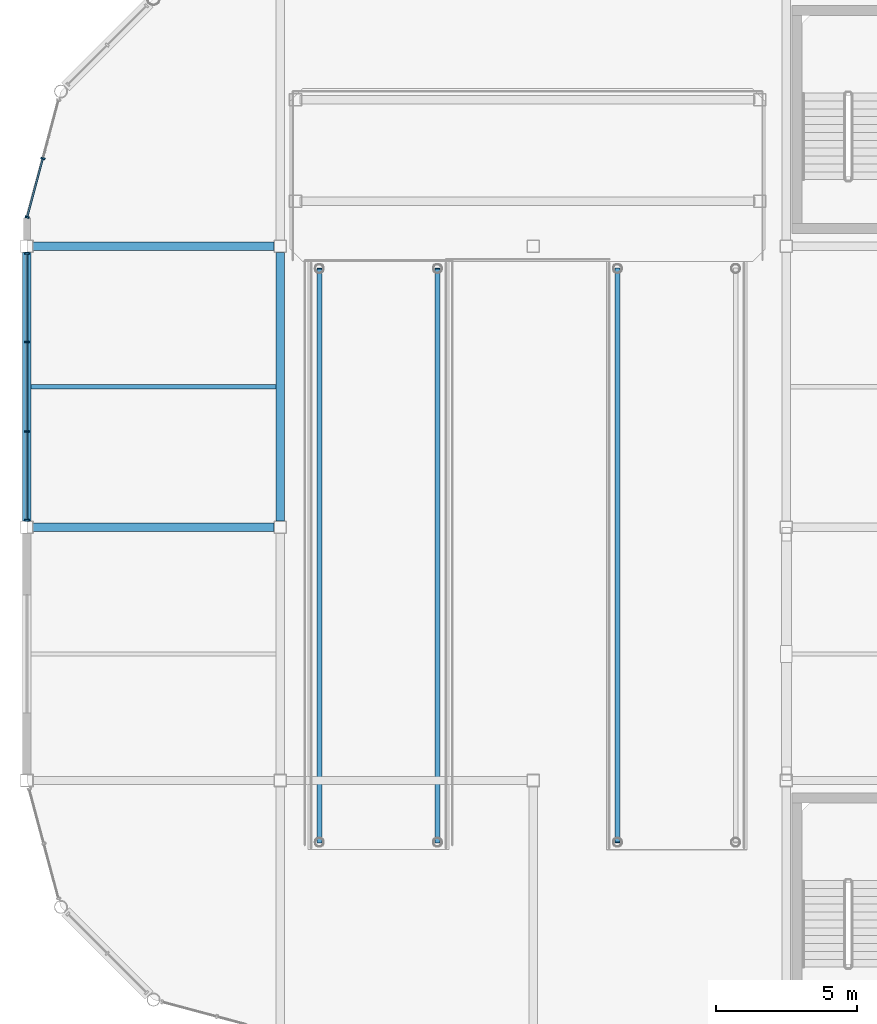
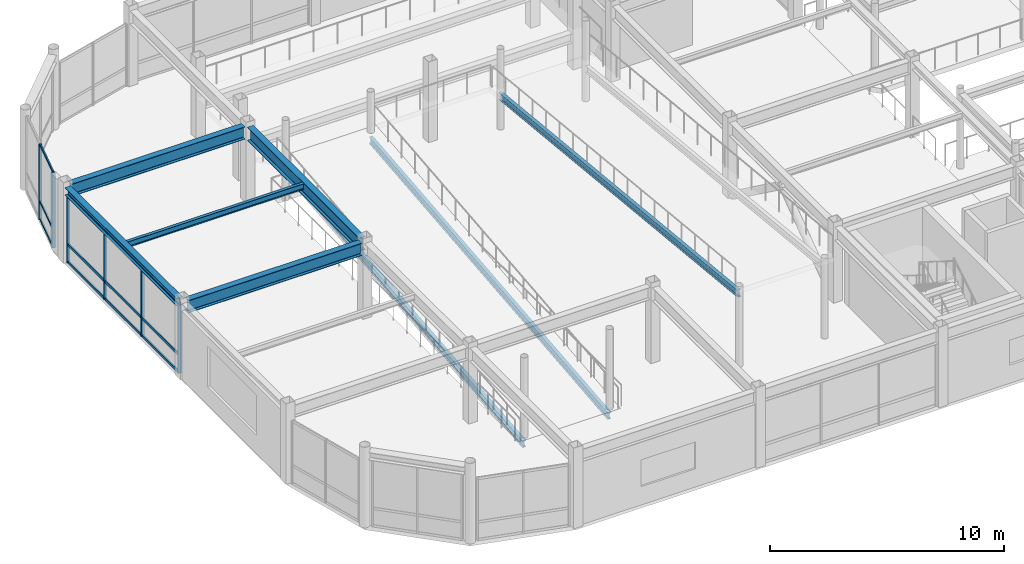
# One storey, part 34 of 105: 18 members, 8 beams, 2 elements without a shape of their own.
"""IFC4 building model written with IfcOpenShell, lengths in metres."""

import ifcopenshell
import ifcopenshell.guid

model = None  # the IFC model being written
_history = None  # IfcOwnerHistory: only IFC2X3 demands one
_inside = {}  # id of a spatial element -> (the spatial element, [elements in it])
_under = {}  # id of a project, library or spatial element -> (it, [spatial elements below it])
_declared = {}  # id of a project -> (the project, [libraries it declares])
_typed = {}  # id of a type object -> (the type object, [elements of that type])
_made_of = {}  # id of a material, layer set ... -> (it, [elements and type objects made of it])


def new_model(schema):
    """Start an empty IFC model of exactly this schema.

    Asked for "IFC4X3", IfcOpenShell would pick the latest addendum, in which some entities
    have other attributes; the version numbers below select the first issue.
    IFC2X3 requires an IfcOwnerHistory on every rooted entity: one is made here for all.
    """
    global model, _history
    if schema == "IFC4X3":
        model = ifcopenshell.file(schema_version=(4, 3, 0, 0))
    else:
        model = ifcopenshell.file(schema=schema)
    _inside.clear()
    _under.clear()
    _declared.clear()
    _typed.clear()
    _made_of.clear()
    _history = None
    if model.schema == "IFC2X3":
        org = make("IfcOrganization", Name="unknown")
        user = make(
            "IfcPersonAndOrganization",
            ThePerson=make("IfcPerson", FamilyName="unknown"),
            TheOrganization=org,
        )
        app = make(
            "IfcApplication",
            ApplicationDeveloper=org,
            Version="unknown",
            ApplicationFullName="unknown",
            ApplicationIdentifier="unknown",
        )
        _history = make(
            "IfcOwnerHistory",
            OwningUser=user,
            OwningApplication=app,
            ChangeAction="ADDED",
            CreationDate=0,
        )
    return model


def make(cls, **values):
    """One entity of the class cls with the attributes given. An attribute that is None is left unset."""
    return model.create_entity(
        cls, **{name: value for name, value in values.items() if value is not None}
    )


def rooted(cls, **values):
    """An entity with a GlobalId (a new one), such as an element, a storey or a relation."""
    return make(cls, GlobalId=ifcopenshell.guid.new(), OwnerHistory=_history, **values)


def si_unit(unit_type, name, prefix=None):
    """IfcSIUnit, for example si_unit("LENGTHUNIT", "METRE", prefix="MILLI")."""
    return make("IfcSIUnit", UnitType=unit_type, Prefix=prefix, Name=name)


def assignment(units):
    """IfcUnitAssignment: the units of a project."""
    return None if units is None else make("IfcUnitAssignment", Units=units)


def point(xyz):
    """IfcCartesianPoint."""
    return None if xyz is None else make("IfcCartesianPoint", Coordinates=xyz)


def direction(xyz):
    """IfcDirection."""
    return None if xyz is None else make("IfcDirection", DirectionRatios=xyz)


def frame(location, z_axis=None, x_axis=None):
    """IfcAxis2Placement3D, a coordinate frame: its origin and axes. An axis left out is left unset."""
    return make(
        "IfcAxis2Placement3D",
        Location=point(location),
        Axis=direction(z_axis),
        RefDirection=direction(x_axis),
    )


def frame_2d(location, x_axis=None):
    """IfcAxis2Placement2D, a coordinate frame in the plane: its origin and x axis."""
    return make(
        "IfcAxis2Placement2D", Location=point(location), RefDirection=direction(x_axis)
    )


def origin():
    """The frame at (0, 0, 0) with its axes left unset."""
    return frame((0.0, 0.0, 0.0))


def origin_2d():
    """The frame at (0, 0) in the plane with its x axis left unset."""
    return frame_2d((0.0, 0.0))


def place(relative_to, where):
    """IfcLocalPlacement: puts the frame where relative to a parent placement (None: the world)."""
    return make(
        "IfcLocalPlacement", PlacementRelTo=relative_to, RelativePlacement=where
    )


def context(
    kind, dimensions, precision=None, world=None, true_north=None, identifier=None
):
    """IfcGeometricRepresentationContext, for example the 3D "Model" context."""
    return make(
        "IfcGeometricRepresentationContext",
        ContextIdentifier=identifier,
        ContextType=kind,
        CoordinateSpaceDimension=dimensions,
        Precision=precision,
        WorldCoordinateSystem=world,
        TrueNorth=true_north,
    )


def subcontext(parent, identifier, kind, view, scale=None):
    """IfcGeometricRepresentationSubContext, for example "Body" below "Model"."""
    return make(
        "IfcGeometricRepresentationSubContext",
        ContextIdentifier=identifier,
        ContextType=kind,
        ParentContext=parent,
        TargetScale=scale,
        TargetView=view,
    )


def project(units=None, contexts=None):
    """IfcProject with its units and contexts."""
    return rooted(
        "IfcProject",
        Name="project",
        RepresentationContexts=contexts,
        UnitsInContext=assignment(units),
    )


def spatial(cls, under=None, at=None, **own):
    """A site, building, storey or space (cls), placed at a placement, below another one or the project."""
    s = rooted(cls, ObjectPlacement=at, **own)
    if under is not None:
        _under.setdefault(under.id(), (under, []))[1].append(s)
    return s


def profile(cls, at=None, kind="AREA", **sizes):
    """A parametric profile (cls). Its sizes go by their IFC names, for example OverallWidth=200.0."""
    return make(cls, ProfileType=kind, Position=at, **sizes)


def rectangle(**sizes):
    """IfcRectangleProfileDef."""
    return profile("IfcRectangleProfileDef", **sizes)


def i_section(**sizes):
    """IfcIShapeProfileDef."""
    return profile("IfcIShapeProfileDef", **sizes)


def extrude(swept, where, along, depth):
    """IfcExtrudedAreaSolid: the profile swept, set in the frame where, extruded along a direction by depth."""
    return make(
        "IfcExtrudedAreaSolid",
        SweptArea=swept,
        Position=where,
        ExtrudedDirection=direction(along),
        Depth=depth,
    )


def shape(context_of_items, identifier, shape_type, items):
    """IfcShapeRepresentation: the items that make up one representation, for example the "Body"."""
    return make(
        "IfcShapeRepresentation",
        ContextOfItems=context_of_items,
        RepresentationIdentifier=identifier,
        RepresentationType=shape_type,
        Items=items,
    )


def material(Name=None, Category=None):
    """IfcMaterial."""
    return make("IfcMaterial", Name=Name, Category=Category)


def material_profile(
    of_material, cross_section, Name=None, Category=None, Priority=None
):
    """IfcMaterialProfile: a cross section and its material."""
    return make(
        "IfcMaterialProfile",
        Name=Name,
        Material=of_material,
        Profile=cross_section,
        Priority=Priority,
        Category=Category,
    )


def profile_set(profiles, Name=None, composite=None):
    """IfcMaterialProfileSet."""
    return make(
        "IfcMaterialProfileSet",
        Name=Name,
        MaterialProfiles=profiles,
        CompositeProfile=composite,
    )


def made_of(thing, what):
    """Note that an element or type object is made of a material, layer set ...; save() writes the relation."""
    if what is not None:
        _made_of.setdefault(what.id(), (what, []))[1].append(thing)
    return thing


def type_object(cls, material=None, **own):
    """A type object (cls), such as IfcWallType, which elements share."""
    return made_of(rooted(cls, **own), material)


def element(
    cls,
    number,
    at=None,
    inside=None,
    cuts=None,
    type_object=None,
    material=None,
    context=None,
    identifier="Body",
    shape_type=None,
    held_by="IfcProductDefinitionShape",
    body=None,
    shapes=None,
    **own,
):
    """One element of the class cls, such as IfcWall. Its Tag is "e" and its number.

    at: its placement. inside: the storey or other place that contains it. cuts: it is an
    opening in that element (IfcRelVoidsElement). A single representation is given by context,
    identifier, shape_type and body (its items); several are given by shapes. held_by: the class
    of the entity that holds the representations. save() writes the other relations.
    """
    e = rooted(cls, Tag="e%d" % number, ObjectPlacement=at, **own)
    if body is not None:
        shapes = [shape(context, identifier, shape_type, body)]
    if shapes is not None:
        e.Representation = make(held_by, Representations=shapes)
    if inside is not None:
        _inside.setdefault(inside.id(), (inside, []))[1].append(e)
    if cuts is not None:
        rooted(
            "IfcRelVoidsElement", RelatingBuildingElement=cuts, RelatedOpeningElement=e
        )
    if type_object is not None:
        _typed.setdefault(type_object.id(), (type_object, []))[1].append(e)
    return made_of(e, material)


def aggregate(whole, parts):
    """IfcRelAggregates: a whole, such as a stair, and the parts it consists of."""
    return rooted("IfcRelAggregates", RelatingObject=whole, RelatedObjects=parts)


def save(model, path):
    """Write the relations noted so far, then the file.

    IfcRelAggregates (storeys below a building ...), IfcRelContainedInSpatialStructure (elements
    in a storey), IfcRelDefinesByType, IfcRelAssociatesMaterial and IfcRelDeclares: one each for
    every whole, place, type object, material and project.
    """
    for whole, parts in _under.values():
        aggregate(whole, parts)
    for where, things in _inside.values():
        rooted(
            "IfcRelContainedInSpatialStructure",
            RelatedElements=things,
            RelatingStructure=where,
        )
    for kind, things in _typed.values():
        rooted("IfcRelDefinesByType", RelatedObjects=things, RelatingType=kind)
    for what, things in _made_of.values():
        rooted("IfcRelAssociatesMaterial", RelatedObjects=things, RelatingMaterial=what)
    for by, libraries in _declared.values():
        rooted("IfcRelDeclares", RelatingContext=by, RelatedDefinitions=libraries)
    model.write(path)


model = new_model("IFC4")

# Units and contexts
model_context = context("Model", 3, precision=1e-05, world=origin(), true_north=direction((0.0, 1.0)))
body_context = subcontext(model_context, "Body", "Model", "MODEL_VIEW")
ifc_project = project(units=[si_unit("LENGTHUNIT", "METRE"), si_unit("AREAUNIT", "SQUARE_METRE"), si_unit("VOLUMEUNIT", "CUBIC_METRE"), si_unit("PLANEANGLEUNIT", "RADIAN"), si_unit("MASSUNIT", "GRAM", prefix="KILO")], contexts=[model_context])

# Site, building, storey
site_placement = place(None, origin())
site = spatial("IfcSite", under=ifc_project, at=site_placement, CompositionType="ELEMENT")
building_placement = place(site_placement, origin())
building = spatial("IfcBuilding", under=site, at=building_placement, Name="Suzunagisa Mobility Hub", CompositionType="ELEMENT")
storey_placement = place(building_placement, frame((0.0, 0.0, 5.10009765625)))
storey = spatial("IfcBuildingStorey", under=building, at=storey_placement, Name="L01", CompositionType="ELEMENT", Elevation=5.10009765625)

# Curtain wall, members
ifc_material_1 = material(Name="Thermally Broken Anodized Aluminum and Low-E Glazing", Category="aluminium")
curtain_wall_type_1 = type_object("IfcCurtainWallType", Name="Unitised Curtain Wall CW-03 9500x3600", PredefinedType="USERDEFINED", material=ifc_material_1)
curtain_wall_1_placement = place(storey_placement, origin())
curtain_wall_1 = element("IfcCurtainWall", 1, at=curtain_wall_1_placement, inside=storey, type_object=curtain_wall_type_1, Name="L01 Unitised Curtain Wall CW-62", ObjectType="UNITISED CURTAIN WALL", PredefinedType="USERDEFINED")
ifc_material_2 = material(Name="Anodized Aluminum 6063-T6", Category="aluminium")
ifc_material_profile_1 = material_profile(ifc_material_2, rectangle(XDim=0.06494140625, YDim=0.139892578125, at=origin_2d()), Name="TRAN-65x140")
ifc_profile_set_1 = profile_set([ifc_material_profile_1], Name="Anodized Aluminum 6063-T6")
member_type_1 = type_object("IfcMemberType", Name="Curtain Wall Framing CM-01 TRAN-65x140", PredefinedType="USERDEFINED", material=ifc_profile_set_1)
member_1_placement = place(storey_placement, frame((0.0, 107.717041015625, 0.032470703125), z_axis=(0.0, -1.0, 0.0), x_axis=(1.0, 0.0, 0.0)))
member_1 = element("IfcMember", 2, at=member_1_placement, type_object=member_type_1, Name="Curtain Wall Transom 62-T1.1", ObjectType="TRANSOM", PredefinedType="USERDEFINED", context=body_context, shape_type="SweptSolid", body=[
    extrude(rectangle(XDim=0.06494140625, YDim=0.139892578125, at=origin_2d()), origin(), (0.0, 0.0, 1.0), 3.097412109375),
])
member_2_placement = place(storey_placement, frame((0.0, 107.717041015625, 0.949951171875), z_axis=(0.0, -1.0, 0.0), x_axis=(1.0, 0.0, 0.0)))
member_2 = element("IfcMember", 3, at=member_2_placement, type_object=member_type_1, Name="Curtain Wall Transom 62-T1.2", ObjectType="TRANSOM", PredefinedType="USERDEFINED", context=body_context, shape_type="SweptSolid", body=[
    extrude(rectangle(XDim=0.06494140625, YDim=0.139892578125, at=origin_2d()), origin(), (0.0, 0.0, 1.0), 3.097412109375),
])
member_3_placement = place(storey_placement, frame((0.0, 107.717041015625, 3.517333984375), z_axis=(0.0, -1.0, 0.0), x_axis=(1.0, 0.0, 0.0)))
member_3 = element("IfcMember", 4, at=member_3_placement, type_object=member_type_1, Name="Curtain Wall Transom 62-T1.3", ObjectType="TRANSOM", PredefinedType="USERDEFINED", context=body_context, shape_type="SweptSolid", body=[
    extrude(rectangle(XDim=0.06494140625, YDim=0.139892578125, at=origin_2d()), origin(), (0.0, 0.0, 1.0), 3.097412109375),
])
member_4_placement = place(storey_placement, frame((0.0, 104.563720703125, 0.032470703125), z_axis=(0.0, -1.0, 0.0), x_axis=(1.0, 0.0, 0.0)))
member_4 = element("IfcMember", 5, at=member_4_placement, type_object=member_type_1, Name="Curtain Wall Transom 62-T2.1", ObjectType="TRANSOM", PredefinedType="USERDEFINED", context=body_context, shape_type="SweptSolid", body=[
    extrude(rectangle(XDim=0.06494140625, YDim=0.139892578125, at=origin_2d()), origin(), (0.0, 0.0, 1.0), 3.12744140625),
])
member_5_placement = place(storey_placement, frame((0.0, 104.563720703125, 0.949951171875), z_axis=(0.0, -1.0, 0.0), x_axis=(1.0, 0.0, 0.0)))
member_5 = element("IfcMember", 6, at=member_5_placement, type_object=member_type_1, Name="Curtain Wall Transom 62-T2.2", ObjectType="TRANSOM", PredefinedType="USERDEFINED", context=body_context, shape_type="SweptSolid", body=[
    extrude(rectangle(XDim=0.06494140625, YDim=0.139892578125, at=origin_2d()), origin(), (0.0, 0.0, 1.0), 3.12744140625),
])
member_6_placement = place(storey_placement, frame((0.0, 104.563720703125, 3.517333984375), z_axis=(0.0, -1.0, 0.0), x_axis=(1.0, 0.0, 0.0)))
member_6 = element("IfcMember", 7, at=member_6_placement, type_object=member_type_1, Name="Curtain Wall Transom 62-T2.3", ObjectType="TRANSOM", PredefinedType="USERDEFINED", context=body_context, shape_type="SweptSolid", body=[
    extrude(rectangle(XDim=0.06494140625, YDim=0.139892578125, at=origin_2d()), origin(), (0.0, 0.0, 1.0), 3.12744140625),
])
member_7_placement = place(storey_placement, frame((0.0, 101.38037109375, 0.032470703125), z_axis=(0.0, -1.0, 0.0), x_axis=(1.0, 0.0, 0.0)))
member_7 = element("IfcMember", 8, at=member_7_placement, type_object=member_type_1, Name="Curtain Wall Transom 62-T3.1", ObjectType="TRANSOM", PredefinedType="USERDEFINED", context=body_context, shape_type="SweptSolid", body=[
    extrude(rectangle(XDim=0.06494140625, YDim=0.139892578125, at=origin_2d()), origin(), (0.0, 0.0, 1.0), 3.097412109375),
])
member_8_placement = place(storey_placement, frame((0.0, 101.38037109375, 0.949951171875), z_axis=(0.0, -1.0, 0.0), x_axis=(1.0, 0.0, 0.0)))
member_8 = element("IfcMember", 9, at=member_8_placement, type_object=member_type_1, Name="Curtain Wall Transom 62-T3.2", ObjectType="TRANSOM", PredefinedType="USERDEFINED", context=body_context, shape_type="SweptSolid", body=[
    extrude(rectangle(XDim=0.06494140625, YDim=0.139892578125, at=origin_2d()), origin(), (0.0, 0.0, 1.0), 3.097412109375),
])
member_9_placement = place(storey_placement, frame((0.0, 101.38037109375, 3.517333984375), z_axis=(0.0, -1.0, 0.0), x_axis=(1.0, 0.0, 0.0)))
member_9 = element("IfcMember", 10, at=member_9_placement, type_object=member_type_1, Name="Curtain Wall Transom 62-T3.3", ObjectType="TRANSOM", PredefinedType="USERDEFINED", context=body_context, shape_type="SweptSolid", body=[
    extrude(rectangle(XDim=0.06494140625, YDim=0.139892578125, at=origin_2d()), origin(), (0.0, 0.0, 1.0), 3.097412109375),
])

curtain_wall_type_2 = type_object("IfcCurtainWallType", Name="Unitised Curtain Wall CW-48 4500x3900", PredefinedType="USERDEFINED", material=ifc_material_1)
curtain_wall_2_placement = place(storey_placement, origin())
curtain_wall_2 = element("IfcCurtainWall", 11, at=curtain_wall_2_placement, inside=storey, type_object=curtain_wall_type_2, Name="L01 Unitised Curtain Wall CW-61", ObjectType="UNITISED CURTAIN WALL", PredefinedType="USERDEFINED")
ifc_material_profile_2 = material_profile(ifc_material_2, rectangle(XDim=0.06005859375, YDim=0.1201171875, at=origin_2d()), Name="TRAN-60x120")
ifc_profile_set_2 = profile_set([ifc_material_profile_2], Name="Anodized Aluminum 6063-T6")
member_type_2 = type_object("IfcMemberType", Name="Curtain Wall Framing CM-02 TRAN-60x120", PredefinedType="USERDEFINED", material=ifc_profile_set_2)
member_10_placement = place(storey_placement, frame((0.559326171875, 111.087890625, 0.02978515625), z_axis=(-0.258803763488, -0.965929920856, 0.0), x_axis=(0.965929920856, -0.258803763488, 0.0)))
member_10 = element("IfcMember", 12, at=member_10_placement, type_object=member_type_2, Name="Curtain Wall Transom 61-T2.1", ObjectType="TRANSOM", PredefinedType="USERDEFINED", context=body_context, shape_type="SweptSolid", body=[
    extrude(rectangle(XDim=0.06005859375, YDim=0.1201171875, at=origin_2d()), origin(), (0.0, 0.0, 1.0), 2.103759765625),
])
member_11_placement = place(storey_placement, frame((0.559326171875, 111.087890625, 0.949951171875), z_axis=(-0.258803763488, -0.965929920856, 0.0), x_axis=(0.965929920856, -0.258803763488, 0.0)))
member_11 = element("IfcMember", 13, at=member_11_placement, type_object=member_type_2, Name="Curtain Wall Transom 61-T2.2", ObjectType="TRANSOM", PredefinedType="USERDEFINED", context=body_context, shape_type="SweptSolid", body=[
    extrude(rectangle(XDim=0.06005859375, YDim=0.1201171875, at=origin_2d()), origin(), (0.0, 0.0, 1.0), 2.103759765625),
])
member_12_placement = place(storey_placement, frame((0.559326171875, 111.087890625, 3.909912109375), z_axis=(-0.258803763488, -0.965929920856, 0.0), x_axis=(0.965929920856, -0.258803763488, 0.0)))
member_12 = element("IfcMember", 14, at=member_12_placement, type_object=member_type_2, Name="Curtain Wall Transom 61-T2.3", ObjectType="TRANSOM", PredefinedType="USERDEFINED", context=body_context, shape_type="SweptSolid", body=[
    extrude(rectangle(XDim=0.06005859375, YDim=0.1201171875, at=origin_2d()), origin(), (0.0, 0.0, 1.0), 2.103759765625),
])
ifc_material_profile_3 = material_profile(ifc_material_2, rectangle(XDim=0.06005859375, YDim=0.14990234375, at=origin_2d()), Name="MULL-60x150")
ifc_profile_set_3 = profile_set([ifc_material_profile_3], Name="Anodized Aluminum 6063-T6")
member_type_3 = type_object("IfcMemberType", Name="Curtain Wall Framing CM-03 MULL-60x150", PredefinedType="MULLION", material=ifc_profile_set_3)
member_13_placement = place(storey_placement, frame((0.566650390625, 111.11474609375, 0.0), z_axis=(0.0, 0.0, 1.0), x_axis=(-0.258815230137, -0.965926848498, 0.0)))
member_13 = element("IfcMember", 15, at=member_13_placement, type_object=member_type_3, Name="Curtain Wall Mullion 61-M2", PredefinedType="MULLION", context=body_context, shape_type="SweptSolid", body=[
    extrude(rectangle(XDim=0.06005859375, YDim=0.14990234375, at=origin_2d()), origin(), (0.0, 0.0, 1.0), 3.93994140625),
])
member_14_placement = place(storey_placement, frame((0.0078125, 109.029052734375, 0.0), z_axis=(0.0, 0.0, 1.0), x_axis=(-0.258815230137, -0.965926848498, 0.0)))
member_14 = element("IfcMember", 16, at=member_14_placement, type_object=member_type_3, Name="Curtain Wall Mullion 61-M3", PredefinedType="MULLION", context=body_context, shape_type="SweptSolid", body=[
    extrude(rectangle(XDim=0.06005859375, YDim=0.14990234375, at=origin_2d()), origin(), (0.0, 0.0, 1.0), 3.93994140625),
])
aggregate(curtain_wall_2, [member_13, member_14, member_10, member_11, member_12])

# Member
member_15_placement = place(storey_placement, frame((0.0, 107.7451171875, 0.0), z_axis=(0.0, 0.0, 1.0), x_axis=(0.0, -1.0, 0.0)))
member_15 = element("IfcMember", 17, at=member_15_placement, type_object=member_type_3, Name="Curtain Wall Mullion 62-M1", PredefinedType="MULLION", context=body_context, shape_type="SweptSolid", body=[
    extrude(rectangle(XDim=0.06005859375, YDim=0.14990234375, at=origin_2d()), origin(), (0.0, 0.0, 1.0), 3.5498046875),
])

member_16_placement = place(storey_placement, frame((0.0, 104.591796875, 0.0), z_axis=(0.0, 0.0, 1.0), x_axis=(0.0, -1.0, 0.0)))
member_16 = element("IfcMember", 18, at=member_16_placement, type_object=member_type_3, Name="Curtain Wall Mullion 62-M2", PredefinedType="MULLION", context=body_context, shape_type="SweptSolid", body=[
    extrude(rectangle(XDim=0.06005859375, YDim=0.14990234375, at=origin_2d()), origin(), (0.0, 0.0, 1.0), 3.5498046875),
])

member_17_placement = place(storey_placement, frame((0.0, 101.408203125, 0.0), z_axis=(0.0, 0.0, 1.0), x_axis=(0.0, -1.0, 0.0)))
member_17 = element("IfcMember", 19, at=member_17_placement, type_object=member_type_3, Name="Curtain Wall Mullion 62-M3", PredefinedType="MULLION", context=body_context, shape_type="SweptSolid", body=[
    extrude(rectangle(XDim=0.06005859375, YDim=0.14990234375, at=origin_2d()), origin(), (0.0, 0.0, 1.0), 3.5498046875),
])

member_18_placement = place(storey_placement, frame((0.0, 98.2548828125, 0.0), z_axis=(0.0, 0.0, 1.0), x_axis=(0.0, -1.0, 0.0)))
member_18 = element("IfcMember", 20, at=member_18_placement, type_object=member_type_3, Name="Curtain Wall Mullion 62-M4", PredefinedType="MULLION", context=body_context, shape_type="SweptSolid", body=[
    extrude(rectangle(XDim=0.06005859375, YDim=0.14990234375, at=origin_2d()), origin(), (0.0, 0.0, 1.0), 3.5498046875),
])

aggregate(curtain_wall_1, [member_15, member_16, member_17, member_18, member_1, member_2, member_3, member_4, member_5, member_6, member_7, member_8, member_9])

# Beams
ifc_material_3 = material(Name="Steel SN400B", Category="steel")
ifc_material_profile_4 = material_profile(ifc_material_3, i_section(OverallWidth=0.175048828125, OverallDepth=0.35009765625, WebThickness=0.007080078125, FlangeThickness=0.010986328125, FilletRadius=0.008056640625, at=origin_2d()), Name="H-350x175x7x11")
ifc_profile_set_4 = profile_set([ifc_material_profile_4], Name="Steel SN400B")
beam_type_1 = type_object("IfcBeamType", Name="Steel Beam BM-03 H-350x175x7x11", PredefinedType="JOIST", material=ifc_profile_set_4)
for number, where, z_axis, x_axis, name in (
    (21, (10.39990234375, 86.800048828125, -0.4091796875), (0.0, 0.994990866518, 0.099965871902), (-1.0, 0.0, 0.0), "L01 Vehicle Ramp Stringer Beam VR-04-F1-2315"),
    (22, (14.60009765625, 86.800048828125, -0.4091796875), (0.0, 0.994990866518, 0.099965871902), (-1.0, 0.0, 0.0), "L01 Vehicle Ramp Stringer Beam VR-04-F1-2316"),
    (23, (21.0, 107.199951171875, 1.69091796875), (0.0, -0.994990866518, 0.099965871902), (1.0, 0.0, 0.0), "L01 Vehicle Ramp Stringer Beam VR-04-F2-2317"),
):
    element("IfcBeam", number, at=place(storey_placement, frame(where, z_axis=z_axis, x_axis=x_axis)), inside=storey, type_object=beam_type_1, Name=name, PredefinedType="JOIST", context=body_context, shape_type="SweptSolid", body=[
        extrude(i_section(OverallWidth=0.175048828125, OverallDepth=0.35009765625, WebThickness=0.007080078125, FlangeThickness=0.010986328125, FilletRadius=0.008056640625, at=origin_2d()), origin(), (0.0, 0.0, 1.0), 20.502685546875),
    ])
ifc_material_4 = material(Name="Steel SN490B", Category="steel")
ifc_material_profile_5 = material_profile(ifc_material_4, i_section(OverallWidth=0.300048828125, OverallDepth=0.64990234375, WebThickness=0.012939453125, FlangeThickness=0.02197265625, FilletRadius=0.01611328125, at=origin_2d()), Name="H-650x300x13x22")
ifc_profile_set_5 = profile_set([ifc_material_profile_5], Name="Steel SN490B")
beam_type_2 = type_object("IfcBeamType", Name="Steel Beam BM-10 H-650x300x13x22", PredefinedType="BEAM", material=ifc_profile_set_5)
for number, where, z_axis, x_axis, name in (
    (24, (0.220947265625, 98.0, 3.614990234375), (1.0, 0.0, 0.0), (0.0, 1.0, 0.0), "L01 Primary Girder GX-492"),
    (25, (0.220947265625, 108.0, 3.614990234375), (1.0, 0.0, 0.0), (0.0, 1.0, 0.0), "L01 Primary Girder GX-494"),
):
    element("IfcBeam", number, at=place(storey_placement, frame(where, z_axis=z_axis, x_axis=x_axis)), inside=storey, type_object=beam_type_2, Name=name, PredefinedType="BEAM", context=body_context, shape_type="SweptSolid", body=[
        extrude(i_section(OverallWidth=0.300048828125, OverallDepth=0.64990234375, WebThickness=0.012939453125, FlangeThickness=0.02197265625, FilletRadius=0.01611328125, at=origin_2d()), origin(), (0.0, 0.0, 1.0), 8.55810546875),
    ])
ifc_material_profile_6 = material_profile(ifc_material_4, i_section(OverallWidth=0.300048828125, OverallDepth=0.699951171875, WebThickness=0.012939453125, FlangeThickness=0.02392578125, FilletRadius=0.01806640625, at=origin_2d()), Name="H-700x300x13x24")
ifc_profile_set_6 = profile_set([ifc_material_profile_6], Name="Steel SN490B")
beam_type_3 = type_object("IfcBeamType", Name="Steel Beam BM-11 H-700x300x13x24", PredefinedType="BEAM", material=ifc_profile_set_6)
beam_1_placement = place(storey_placement, frame((9.0, 98.220947265625, 3.58984375), z_axis=(0.0, 1.0, 0.0), x_axis=(-1.0, 0.0, 0.0)))
element("IfcBeam", 26, at=beam_1_placement, inside=storey, type_object=beam_type_3, Name="L01 Primary Girder GY-503", PredefinedType="BEAM", context=body_context, shape_type="SweptSolid", body=[
    extrude(i_section(OverallWidth=0.300048828125, OverallDepth=0.699951171875, WebThickness=0.012939453125, FlangeThickness=0.02392578125, FilletRadius=0.01806640625, at=origin_2d()), origin(), (0.0, 0.0, 1.0), 9.55810546875),
])
ifc_material_profile_7 = material_profile(ifc_material_4, i_section(OverallWidth=0.300048828125, OverallDepth=0.389892578125, WebThickness=0.010009765625, FlangeThickness=0.01611328125, FilletRadius=0.012939453125, at=origin_2d()), Name="H-390x300x10x16")
ifc_profile_set_7 = profile_set([ifc_material_profile_7], Name="Steel SN490B")
beam_type_4 = type_object("IfcBeamType", Name="Steel Beam BM-13 H-390x300x10x16", PredefinedType="SPANDREL", material=ifc_profile_set_7)
beam_2_placement = place(storey_placement, frame((0.0, 98.220947265625, 3.744873046875), z_axis=(0.0, 1.0, 0.0), x_axis=(-1.0, 0.0, 0.0)))
element("IfcBeam", 27, at=beam_2_placement, inside=storey, type_object=beam_type_4, Name="L01 Primary Girder GY-500", PredefinedType="SPANDREL", context=body_context, shape_type="SweptSolid", body=[
    extrude(i_section(OverallWidth=0.300048828125, OverallDepth=0.389892578125, WebThickness=0.010009765625, FlangeThickness=0.01611328125, FilletRadius=0.012939453125, at=origin_2d()), origin(), (0.0, 0.0, 1.0), 9.55810546875),
])
ifc_material_profile_8 = material_profile(ifc_material_3, i_section(OverallWidth=0.14990234375, OverallDepth=0.300048828125, WebThickness=0.006591796875, FlangeThickness=0.009033203125, FilletRadius=0.008056640625, at=origin_2d()), Name="H-300x150x6.5x9")
ifc_profile_set_8 = profile_set([ifc_material_profile_8], Name="Steel SN400B")
beam_type_5 = type_object("IfcBeamType", Name="Steel Beam BM-24 H-300x150x6.5x9", PredefinedType="JOIST", material=ifc_profile_set_8)
beam_3_placement = place(storey_placement, frame((0.14990234375, 103.0, 3.789794921875), z_axis=(1.0, 0.0, 0.0), x_axis=(0.0, 1.0, 0.0)))
element("IfcBeam", 28, at=beam_3_placement, inside=storey, type_object=beam_type_5, Name="L01 Composite Floor Joist J-517", PredefinedType="JOIST", context=body_context, shape_type="SweptSolid", body=[
    extrude(i_section(OverallWidth=0.14990234375, OverallDepth=0.300048828125, WebThickness=0.006591796875, FlangeThickness=0.009033203125, FilletRadius=0.008056640625, at=origin_2d()), origin(), (0.0, 0.0, 1.0), 8.7001953125),
])

save(model, "model.ifc")
